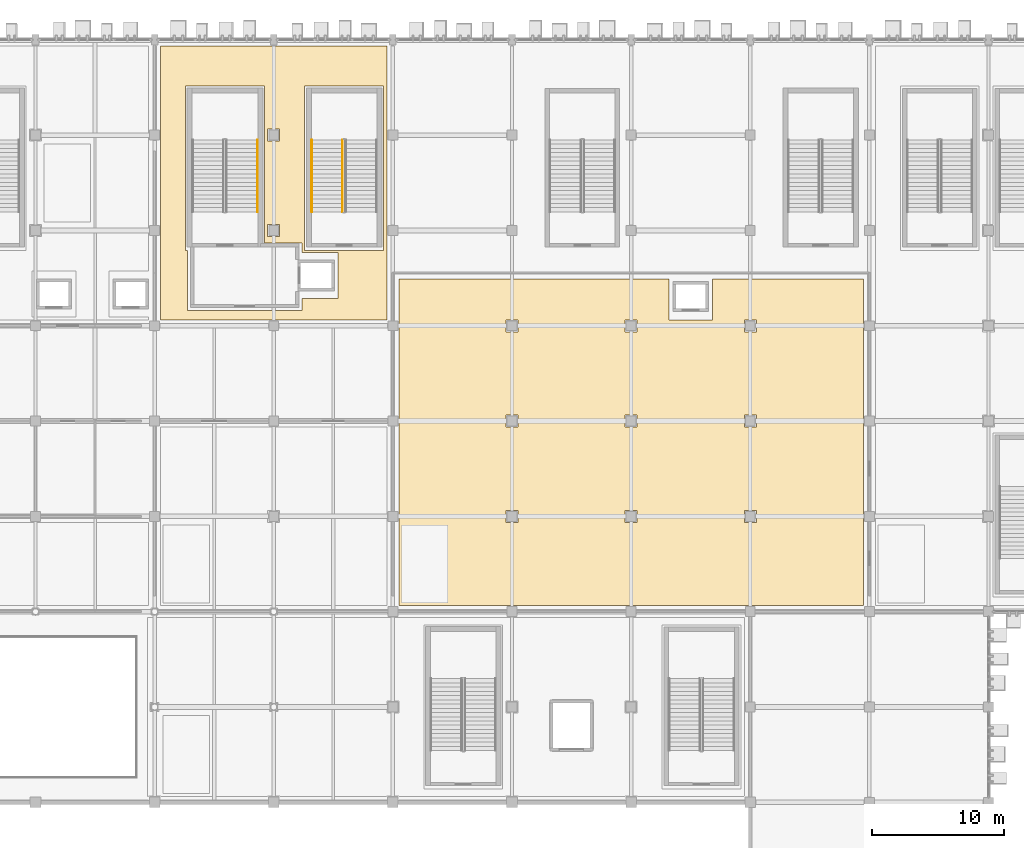
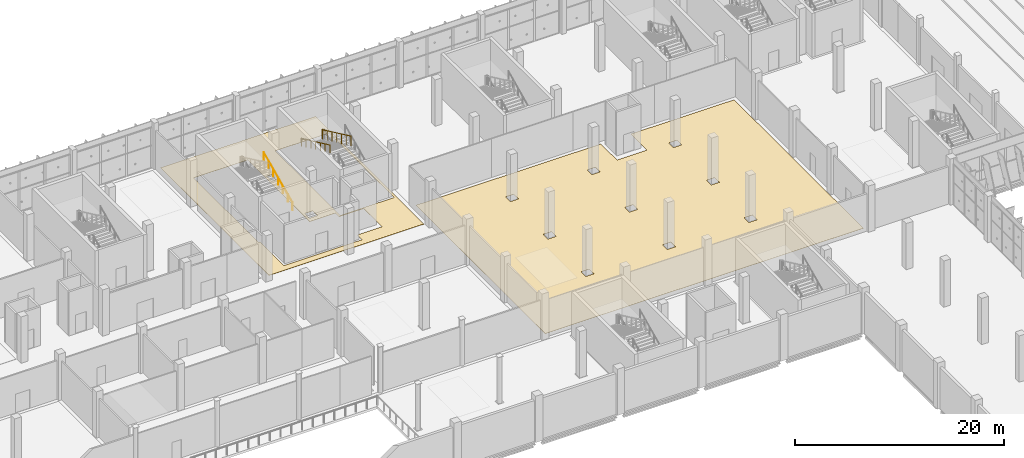
# One storey, part 181 of 189: 3 railings, 2 coverings.
"""IFC4 building model written with IfcOpenShell, lengths in metres."""

from ifc_helpers import new_model, si_unit, direction, frame, origin, origin_2d, place, context, subcontext, project, spatial, polyline, circle, outline, extrude, material, layer, layer_set, type_object, element, save


model = new_model("IFC4")

# Units and contexts
model_context = context("Model", 3, precision=1e-05, world=origin(), true_north=direction((0.0, 1.0)))
body_context = subcontext(model_context, "Body", "Model", "MODEL_VIEW")
ifc_project = project(units=[si_unit("LENGTHUNIT", "METRE"), si_unit("AREAUNIT", "SQUARE_METRE"), si_unit("VOLUMEUNIT", "CUBIC_METRE"), si_unit("PLANEANGLEUNIT", "RADIAN"), si_unit("MASSUNIT", "GRAM", prefix="KILO")], contexts=[model_context])

# Site, building, storey
site_placement = place(None, origin())
site = spatial("IfcSite", under=ifc_project, at=site_placement, CompositionType="ELEMENT")
building_placement = place(site_placement, origin())
building = spatial("IfcBuilding", under=site, at=building_placement, Name="Celestram Park Convention Centre", CompositionType="ELEMENT")
storey_placement = place(building_placement, frame((0.0, 0.0, 5.39990234375)))
storey = spatial("IfcBuildingStorey", under=building, at=storey_placement, Name="L01", CompositionType="ELEMENT", Elevation=5.39990234375)

# Coverings
ifc_material_1 = material(Name="Polished Lakefront Aggregate Terrazzo Flooring", Category="concrete")
ifc_layer_1 = layer(ifc_material_1, 0.02001953125)
ifc_layer_set_1 = layer_set([ifc_layer_1], Name="Polished Lakefront Aggregate Terrazzo Flooring")
covering_type = type_object("IfcCoveringType", Name="ARC-COV-FLR020", PredefinedType="FLOORING", material=ifc_layer_set_1)
covering_1_placement = place(storey_placement, origin())
element("IfcCovering", 1, at=covering_1_placement, inside=storey, type_object=covering_type, Name="East Elevator Lobby L01 terrazzo flooring", PredefinedType="FLOORING", context=body_context, shape_type="SweptSolid", body=[
    extrude(outline(polyline([(89.672119140625, 165.14990234375), (89.672119140625, 165.1220703125), (90.327880859375, 165.1220703125), (90.327880859375, 165.14990234375), (98.550048828125, 165.14990234375), (98.550048828125, 158.85302734375), (98.547119140625, 158.85302734375), (98.547119140625, 157.947021484375), (98.550048828125, 157.947021484375), (98.550048828125, 151.653076171875), (98.547119140625, 151.653076171875), (98.547119140625, 150.7470703125), (98.550048828125, 150.7470703125), (98.550048828125, 144.452880859375), (98.547119140625, 144.452880859375), (98.547119140625, 144.449951171875), (90.452880859375, 144.449951171875), (90.452880859375, 144.452880859375), (89.547119140625, 144.452880859375), (89.547119140625, 144.449951171875), (81.452880859375, 144.449951171875), (81.452880859375, 144.452880859375), (81.449951171875, 144.452880859375), (81.449951171875, 150.7470703125), (81.452880859375, 150.7470703125), (81.452880859375, 151.653076171875), (81.449951171875, 151.653076171875), (81.449951171875, 157.947021484375), (81.452880859375, 157.947021484375), (81.452880859375, 158.85302734375), (81.449951171875, 158.85302734375), (81.449951171875, 165.14990234375), (89.672119140625, 165.14990234375)]), holes=[polyline([(92.1298828125, 150.25), (89.300048828125, 150.25), (89.300048828125, 162.10009765625), (83.340087890625, 162.10009765625), (83.340087890625, 149.699951171875), (83.489990234375, 149.699951171875), (83.489990234375, 145.14990234375), (92.1298828125, 145.14990234375), (92.1298828125, 146.050048828125), (94.85009765625, 146.050048828125), (94.85009765625, 149.550048828125), (92.1298828125, 149.550048828125), (92.1298828125, 150.25)]), polyline([(98.300048828125, 162.10009765625), (92.340087890625, 162.10009765625), (92.340087890625, 149.699951171875), (98.300048828125, 149.699951171875), (98.300048828125, 162.10009765625)]), polyline([(90.452880859375, 151.653076171875), (89.547119140625, 151.653076171875), (89.547119140625, 150.7470703125), (90.452880859375, 150.7470703125), (90.452880859375, 151.653076171875)]), polyline([(90.452880859375, 158.85302734375), (89.547119140625, 158.85302734375), (89.547119140625, 157.947021484375), (90.452880859375, 157.947021484375), (90.452880859375, 158.85302734375)])]), origin(), (0.0, 0.0, 1.0), 0.02001953125),
])
covering_2_placement = place(storey_placement, origin())
element("IfcCovering", 2, at=covering_2_placement, inside=storey, type_object=covering_type, Name="Lakefront Delegate Dining Hall terrazzo flooring", PredefinedType="FLOORING", context=body_context, shape_type="SweptSolid", body=[
    extrude(outline(polyline([(119.85009765625, 147.550048828125), (119.85009765625, 144.449951171875), (123.14990234375, 144.449951171875), (123.14990234375, 147.550048828125), (134.550048828125, 147.550048828125), (134.550048828125, 144.452880859375), (134.547119140625, 144.452880859375), (134.547119140625, 143.547119140625), (134.550048828125, 143.547119140625), (134.550048828125, 137.2529296875), (134.547119140625, 137.2529296875), (134.547119140625, 136.346923828125), (134.550048828125, 136.346923828125), (134.550048828125, 130.052978515625), (134.547119140625, 130.052978515625), (134.547119140625, 129.14697265625), (134.550048828125, 129.14697265625), (134.550048828125, 122.85302734375), (134.547119140625, 122.85302734375), (134.547119140625, 122.85009765625), (126.452880859375, 122.85009765625), (126.452880859375, 122.85302734375), (125.547119140625, 122.85302734375), (125.547119140625, 122.85009765625), (117.452880859375, 122.85009765625), (117.452880859375, 122.85302734375), (116.547119140625, 122.85302734375), (116.547119140625, 122.85009765625), (108.452880859375, 122.85009765625), (108.452880859375, 122.85302734375), (107.547119140625, 122.85302734375), (107.547119140625, 122.85009765625), (99.452880859375, 122.85009765625), (99.452880859375, 122.85302734375), (99.449951171875, 122.85302734375), (99.449951171875, 129.14697265625), (99.452880859375, 129.14697265625), (99.452880859375, 130.052978515625), (99.449951171875, 130.052978515625), (99.449951171875, 136.346923828125), (99.452880859375, 136.346923828125), (99.452880859375, 137.2529296875), (99.449951171875, 137.2529296875), (99.449951171875, 143.547119140625), (99.452880859375, 143.547119140625), (99.452880859375, 144.452880859375), (99.449951171875, 144.452880859375), (99.449951171875, 147.550048828125), (119.85009765625, 147.550048828125)]), holes=[polyline([(108.452880859375, 130.052978515625), (107.547119140625, 130.052978515625), (107.547119140625, 129.14697265625), (108.452880859375, 129.14697265625), (108.452880859375, 130.052978515625)]), polyline([(126.452880859375, 130.052978515625), (125.547119140625, 130.052978515625), (125.547119140625, 129.14697265625), (126.452880859375, 129.14697265625), (126.452880859375, 130.052978515625)]), polyline([(117.452880859375, 130.052978515625), (116.547119140625, 130.052978515625), (116.547119140625, 129.14697265625), (117.452880859375, 129.14697265625), (117.452880859375, 130.052978515625)]), polyline([(108.452880859375, 137.2529296875), (107.547119140625, 137.2529296875), (107.547119140625, 136.346923828125), (108.452880859375, 136.346923828125), (108.452880859375, 137.2529296875)]), polyline([(117.452880859375, 137.2529296875), (116.547119140625, 137.2529296875), (116.547119140625, 136.346923828125), (117.452880859375, 136.346923828125), (117.452880859375, 137.2529296875)]), polyline([(117.452880859375, 144.452880859375), (116.547119140625, 144.452880859375), (116.547119140625, 143.547119140625), (117.452880859375, 143.547119140625), (117.452880859375, 144.452880859375)]), polyline([(108.452880859375, 143.547119140625), (108.452880859375, 144.452880859375), (107.547119140625, 144.452880859375), (107.547119140625, 143.547119140625), (108.452880859375, 143.547119140625)]), polyline([(126.452880859375, 137.2529296875), (125.547119140625, 137.2529296875), (125.547119140625, 136.346923828125), (126.452880859375, 136.346923828125), (126.452880859375, 137.2529296875)]), polyline([(126.452880859375, 144.452880859375), (125.547119140625, 144.452880859375), (125.547119140625, 143.547119140625), (126.452880859375, 143.547119140625), (126.452880859375, 144.452880859375)])]), origin(), (0.0, 0.0, 1.0), 0.02001953125),
])

# Railings
ifc_material_2 = material(Name="Stainless Steel AISI 316L & Laminated Glass", Category="steel")
ifc_layer_2 = layer(ifc_material_2, 0.06005859375)
ifc_layer_set_2 = layer_set([ifc_layer_2], Name="Stainless Steel AISI 316L & Laminated Glass")
railing_type_1 = type_object("IfcRailingType", Name="ARC-RL-GRD1120", PredefinedType="GUARDRAIL", material=ifc_layer_set_2)
railing_1_placement = place(storey_placement, frame((95.2041015625, 158.0400390625, 2.85009765625)))
element("IfcRailing", 3, at=railing_1_placement, inside=storey, type_object=railing_type_1, Name="L01 ST-19 stair guard 3", PredefinedType="GUARDRAIL", context=body_context, shape_type="SweptSolid", body=[
    extrude(circle(Radius=0.02392578125, at=origin_2d()), frame((0.0, 0.0, 1.09619140625), z_axis=(0.0, -0.90545405566, 0.424444287379), x_axis=(1.0, 0.0, 0.0)), (0.0, 0.0, 1.0), 6.008056640625),
    extrude(circle(Radius=0.02099609375, at=origin_2d()), origin(), (0.0, 0.0, 1.0), 1.072021484375),
    extrude(circle(Radius=0.02099609375, at=origin_2d()), frame((0.0, -0.90673828125, 0.425048828125)), (0.0, 0.0, 1.0), 1.072021484375),
    extrude(circle(Radius=0.02099609375, at=origin_2d()), frame((0.0, -1.813232421875, 0.85009765625)), (0.0, 0.0, 1.0), 1.072021484375),
    extrude(circle(Radius=0.02099609375, at=origin_2d()), frame((0.0, -2.719970703125, 1.27490234375)), (0.0, 0.0, 1.0), 1.072021484375),
    extrude(circle(Radius=0.02099609375, at=origin_2d()), frame((0.0, -3.626708984375, 1.699951171875)), (0.0, 0.0, 1.0), 1.072021484375),
    extrude(circle(Radius=0.02099609375, at=origin_2d()), frame((0.0, -4.533203125, 2.125)), (0.0, 0.0, 1.0), 1.072021484375),
    extrude(circle(Radius=0.02099609375, at=origin_2d()), frame((0.0, -5.43994140625, 2.550048828125)), (0.0, 0.0, 1.0), 1.072021484375),
])
ifc_material_3 = material(Name="Brushed Stainless Steel AISI 304", Category="steel")
ifc_layer_3 = layer(ifc_material_3, 0.048095703125)
ifc_layer_set_3 = layer_set([ifc_layer_3], Name="Brushed Stainless Steel AISI 304")
railing_type_2 = type_object("IfcRailingType", Name="ARC-RL-HND915", PredefinedType="HANDRAIL", material=ifc_layer_set_3)
railing_2_placement = place(storey_placement, frame((88.763916015625, 152.60009765625, 0.150146484375)))
element("IfcRailing", 4, at=railing_2_placement, inside=storey, type_object=railing_type_2, Name="L01 ST-02 stair handrail 1", PredefinedType="HANDRAIL", context=body_context, shape_type="SweptSolid", body=[
    extrude(circle(Radius=0.02392578125, at=origin_2d()), frame((0.0, 0.0, 0.8759765625), z_axis=(0.0, 0.90545405566, 0.424444287379), x_axis=(-1.0, 0.0, 0.0)), (0.0, 0.0, 1.0), 6.008056640625),
    extrude(circle(Radius=0.02099609375, at=origin_2d()), origin(), (0.0, 0.0, 1.0), 0.851806640625),
    extrude(circle(Radius=0.02099609375, at=origin_2d()), frame((0.0, 0.90673828125, 0.425048828125)), (0.0, 0.0, 1.0), 0.851806640625),
    extrude(circle(Radius=0.02099609375, at=origin_2d()), frame((0.0, 1.813232421875, 0.85009765625)), (0.0, 0.0, 1.0), 0.851806640625),
    extrude(circle(Radius=0.02099609375, at=origin_2d()), frame((0.0, 2.719970703125, 1.27490234375)), (0.0, 0.0, 1.0), 0.851806640625),
    extrude(circle(Radius=0.02099609375, at=origin_2d()), frame((0.0, 3.626708984375, 1.699951171875)), (0.0, 0.0, 1.0), 0.851806640625),
    extrude(circle(Radius=0.02099609375, at=origin_2d()), frame((0.0, 4.533203125, 2.125)), (0.0, 0.0, 1.0), 0.851806640625),
    extrude(circle(Radius=0.02099609375, at=origin_2d()), frame((0.0, 5.43994140625, 2.550048828125)), (0.0, 0.0, 1.0), 0.851806640625),
])
railing_3_placement = place(storey_placement, frame((92.8759765625, 158.0400390625, 2.85009765625)))
element("IfcRailing", 5, at=railing_3_placement, inside=storey, type_object=railing_type_2, Name="L01 ST-19 stair handrail 2", PredefinedType="HANDRAIL", context=body_context, shape_type="SweptSolid", body=[
    extrude(circle(Radius=0.02392578125, at=origin_2d()), frame((0.0, 0.0, 0.8759765625), z_axis=(0.0, -0.90545405566, 0.424444287379), x_axis=(1.0, 0.0, 0.0)), (0.0, 0.0, 1.0), 6.008056640625),
    extrude(circle(Radius=0.02099609375, at=origin_2d()), origin(), (0.0, 0.0, 1.0), 0.851806640625),
    extrude(circle(Radius=0.02099609375, at=origin_2d()), frame((0.0, -0.90673828125, 0.425048828125)), (0.0, 0.0, 1.0), 0.851806640625),
    extrude(circle(Radius=0.02099609375, at=origin_2d()), frame((0.0, -1.813232421875, 0.85009765625)), (0.0, 0.0, 1.0), 0.851806640625),
    extrude(circle(Radius=0.02099609375, at=origin_2d()), frame((0.0, -2.719970703125, 1.27490234375)), (0.0, 0.0, 1.0), 0.851806640625),
    extrude(circle(Radius=0.02099609375, at=origin_2d()), frame((0.0, -3.626708984375, 1.699951171875)), (0.0, 0.0, 1.0), 0.851806640625),
    extrude(circle(Radius=0.02099609375, at=origin_2d()), frame((0.0, -4.533203125, 2.125)), (0.0, 0.0, 1.0), 0.851806640625),
    extrude(circle(Radius=0.02099609375, at=origin_2d()), frame((0.0, -5.43994140625, 2.550048828125)), (0.0, 0.0, 1.0), 0.851806640625),
])

save(model, "model.ifc")
